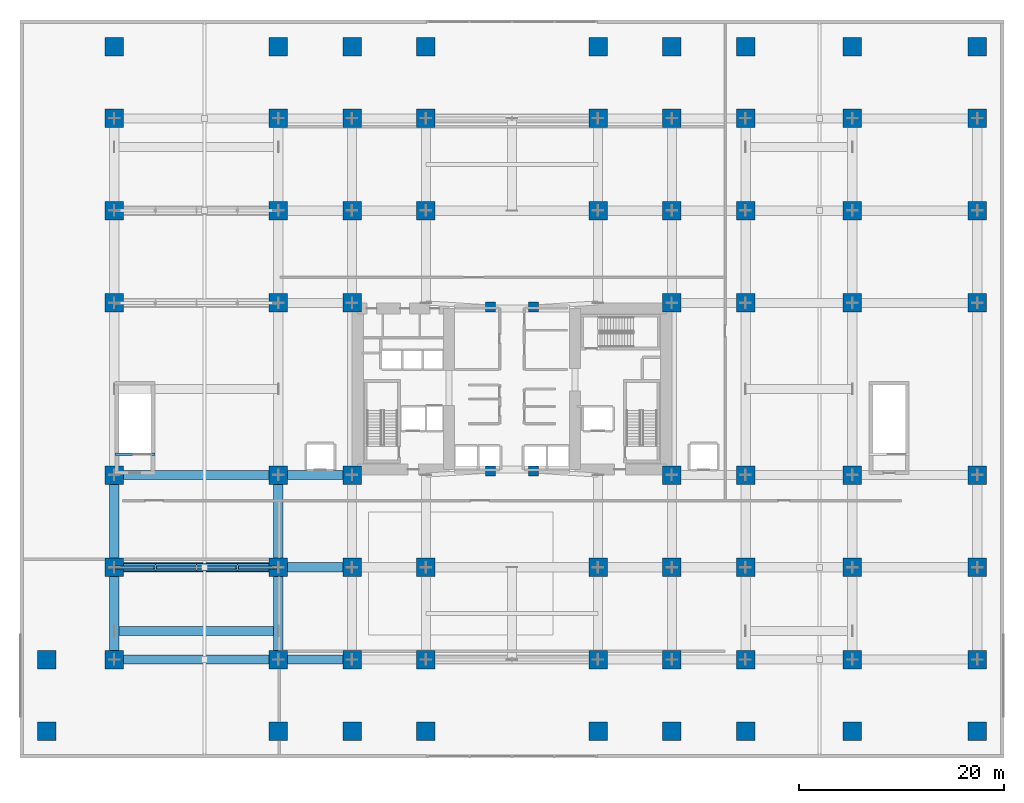
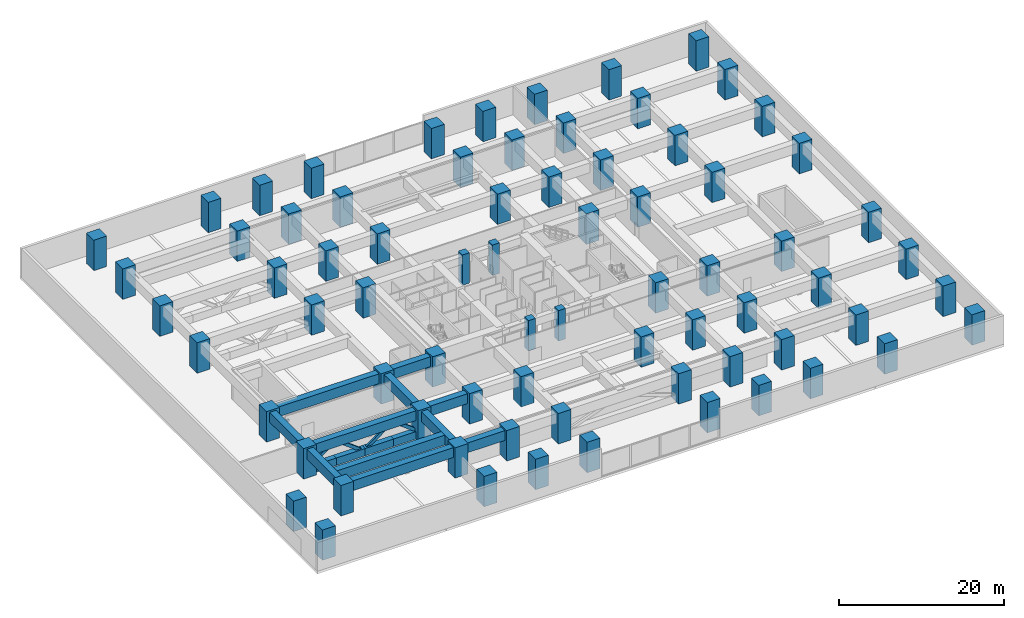
# One storey, part 1 of 25: 73 columns, 12 beams, 8 members.
"""IFC4 building model written with IfcOpenShell, lengths in metres."""

from ifc_helpers import new_model, si_unit, direction, frame, origin, origin_2d, place, context, subcontext, project, spatial, rectangle, hollow_rectangle, extrude, material, material_profile, profile_set, type_object, element, save


model = new_model("IFC4")

# Units and contexts
model_context = context("Model", 3, precision=1e-05, world=origin(), true_north=direction((0.0, 1.0)))
body_context = subcontext(model_context, "Body", "Model", "MODEL_VIEW")
ifc_project = project(units=[si_unit("LENGTHUNIT", "METRE"), si_unit("AREAUNIT", "SQUARE_METRE"), si_unit("VOLUMEUNIT", "CUBIC_METRE"), si_unit("PLANEANGLEUNIT", "RADIAN"), si_unit("MASSUNIT", "GRAM", prefix="KILO")], contexts=[model_context])

# Site, building, storey
site_placement = place(None, origin())
site = spatial("IfcSite", under=ifc_project, at=site_placement, CompositionType="ELEMENT")
building_placement = place(site_placement, origin())
building = spatial("IfcBuilding", under=site, at=building_placement, Name="Kiyonajd Concourse Tower", CompositionType="ELEMENT")
storey_placement = place(building_placement, frame((0.0, 0.0, 17.10009765625)))
storey = spatial("IfcBuildingStorey", under=building, at=storey_placement, Name="L05", CompositionType="ELEMENT", Elevation=17.10009765625)

# Columns
ifc_material_1 = material(Name="Concrete C80/95", Category="concrete")
ifc_material_profile_1 = material_profile(ifc_material_1, rectangle(XDim=1.800048828125, YDim=1.800048828125, at=origin_2d()), Name="RC-1800x1800")
ifc_profile_set_1 = profile_set([ifc_material_profile_1], Name="Concrete C80/95")
column_type_1 = type_object("IfcColumnType", Name="CL-MEGA-1800", PredefinedType="COLUMN", material=ifc_profile_set_1)
for number, where, z_axis, x_axis, name in (
    (1, (2.60009765625, 2.60009765625, 0.0), (0.0, 0.0, 1.0), (1.0, 0.0, 0.0), "L05 Podium Mega Column"),
    (2, (2.60009765625, 9.60009765625, 0.0), (0.0, 0.0, 1.0), (1.0, 0.0, 0.0), "L05 Podium Mega Column"),
    (3, (9.199951171875, 9.60009765625, 0.0), (0.0, 0.0, 1.0), (1.0, 0.0, 0.0), "L05 Podium Mega Column"),
    (4, (9.199951171875, 18.60009765625, 0.0), (0.0, 0.0, 1.0), (1.0, 0.0, 0.0), "L05 Podium Mega Column"),
    (5, (9.199951171875, 27.60009765625, 0.0), (0.0, 0.0, 1.0), (1.0, 0.0, 0.0), "L05 Podium Mega Column"),
    (6, (9.199951171875, 44.39990234375, 0.0), (0.0, 0.0, 1.0), (1.0, 0.0, 0.0), "L05 Podium Mega Column"),
    (7, (9.199951171875, 53.39990234375, 0.0), (0.0, 0.0, 1.0), (1.0, 0.0, 0.0), "L05 Podium Mega Column"),
    (8, (9.199951171875, 62.39990234375, 0.0), (0.0, 0.0, 1.0), (1.0, 0.0, 0.0), "L05 Podium Mega Column"),
    (9, (9.199951171875, 69.39990234375, 0.0), (0.0, 0.0, 1.0), (1.0, 0.0, 0.0), "L05 Podium Mega Column"),
    (10, (25.199951171875, 2.60009765625, 0.0), (0.0, 0.0, 1.0), (1.0, 0.0, 0.0), "L05 Podium Mega Column"),
    (11, (25.199951171875, 9.60009765625, 0.0), (0.0, 0.0, 1.0), (1.0, 0.0, 0.0), "L05 Podium Mega Column"),
    (12, (25.199951171875, 18.60009765625, 0.0), (0.0, 0.0, 1.0), (1.0, 0.0, 0.0), "L05 Podium Mega Column"),
    (13, (25.199951171875, 27.60009765625, 0.0), (0.0, 0.0, 1.0), (1.0, 0.0, 0.0), "L05 Podium Mega Column"),
    (14, (25.199951171875, 44.39990234375, 0.0), (0.0, 0.0, 1.0), (1.0, 0.0, 0.0), "L05 Podium Mega Column"),
    (15, (25.199951171875, 53.39990234375, 0.0), (0.0, 0.0, 1.0), (1.0, 0.0, 0.0), "L05 Podium Mega Column"),
    (16, (25.199951171875, 62.39990234375, 0.0), (0.0, 0.0, 1.0), (1.0, 0.0, 0.0), "L05 Podium Mega Column"),
    (17, (25.199951171875, 69.39990234375, 0.0), (0.0, 0.0, 1.0), (1.0, 0.0, 0.0), "L05 Podium Mega Column"),
    (18, (32.39990234375, 2.60009765625, 0.0), (0.0, 0.0, 1.0), (1.0, 0.0, 0.0), "L05 Podium Mega Column"),
    (19, (32.39990234375, 9.60009765625, 0.0), (0.0, 0.0, 1.0), (1.0, 0.0, 0.0), "L05 Podium Mega Column"),
    (20, (32.39990234375, 18.60009765625, 0.0), (0.0, 0.0, 1.0), (1.0, 0.0, 0.0), "L05 Podium Mega Column"),
    (21, (32.39990234375, 27.60009765625, 0.0), (0.0, 0.0, 1.0), (1.0, 0.0, 0.0), "L05 Podium Mega Column"),
    (22, (32.39990234375, 44.39990234375, 0.0), (0.0, 0.0, 1.0), (1.0, 0.0, 0.0), "L05 Podium Mega Column"),
    (23, (32.39990234375, 53.39990234375, 0.0), (0.0, 0.0, 1.0), (1.0, 0.0, 0.0), "L05 Podium Mega Column"),
    (24, (32.39990234375, 62.39990234375, 0.0), (0.0, 0.0, 1.0), (1.0, 0.0, 0.0), "L05 Podium Mega Column"),
    (25, (32.39990234375, 69.39990234375, 0.0), (0.0, 0.0, 1.0), (1.0, 0.0, 0.0), "L05 Podium Mega Column"),
    (26, (39.60009765625, 2.60009765625, 0.0), (0.0, 0.0, 1.0), (1.0, 0.0, 0.0), "L05 Podium Mega Column"),
    (27, (39.60009765625, 9.60009765625, 0.0), (0.0, 0.0, 1.0), (1.0, 0.0, 0.0), "L05 Podium Mega Column"),
    (28, (39.60009765625, 18.60009765625, 0.0), (0.0, 0.0, 1.0), (1.0, 0.0, 0.0), "L05 Podium Mega Column"),
    (29, (39.60009765625, 53.39990234375, 0.0), (0.0, 0.0, 1.0), (1.0, 0.0, 0.0), "L05 Podium Mega Column"),
    (30, (39.60009765625, 62.39990234375, 0.0), (0.0, 0.0, 1.0), (1.0, 0.0, 0.0), "L05 Podium Mega Column"),
    (31, (39.60009765625, 69.39990234375, 0.0), (0.0, 0.0, 1.0), (1.0, 0.0, 0.0), "L05 Podium Mega Column"),
    (32, (56.39990234375, 2.60009765625, 0.0), (0.0, 0.0, 1.0), (1.0, 0.0, 0.0), "L05 Podium Mega Column"),
    (33, (56.39990234375, 9.60009765625, 0.0), (0.0, 0.0, 1.0), (1.0, 0.0, 0.0), "L05 Podium Mega Column"),
    (34, (56.39990234375, 18.60009765625, 0.0), (0.0, 0.0, 1.0), (1.0, 0.0, 0.0), "L05 Podium Mega Column"),
    (35, (56.39990234375, 53.39990234375, 0.0), (0.0, 0.0, 1.0), (1.0, 0.0, 0.0), "L05 Podium Mega Column"),
    (36, (56.39990234375, 62.39990234375, 0.0), (0.0, 0.0, 1.0), (1.0, 0.0, 0.0), "L05 Podium Mega Column"),
    (37, (56.39990234375, 69.39990234375, 0.0), (0.0, 0.0, 1.0), (1.0, 0.0, 0.0), "L05 Podium Mega Column"),
    (38, (63.60009765625, 2.60009765625, 0.0), (0.0, 0.0, 1.0), (1.0, 0.0, 0.0), "L05 Podium Mega Column"),
    (39, (63.60009765625, 9.60009765625, 0.0), (0.0, 0.0, 1.0), (1.0, 0.0, 0.0), "L05 Podium Mega Column"),
    (40, (63.60009765625, 18.60009765625, 0.0), (0.0, 0.0, 1.0), (1.0, 0.0, 0.0), "L05 Podium Mega Column"),
    (41, (63.60009765625, 27.60009765625, 0.0), (0.0, 0.0, 1.0), (1.0, 0.0, 0.0), "L05 Podium Mega Column"),
    (42, (63.60009765625, 44.39990234375, 0.0), (0.0, 0.0, 1.0), (1.0, 0.0, 0.0), "L05 Podium Mega Column"),
    (43, (63.60009765625, 53.39990234375, 0.0), (0.0, 0.0, 1.0), (1.0, 0.0, 0.0), "L05 Podium Mega Column"),
    (44, (63.60009765625, 62.39990234375, 0.0), (0.0, 0.0, 1.0), (1.0, 0.0, 0.0), "L05 Podium Mega Column"),
    (45, (63.60009765625, 69.39990234375, 0.0), (0.0, 0.0, 1.0), (1.0, 0.0, 0.0), "L05 Podium Mega Column"),
    (46, (70.800048828125, 2.60009765625, 0.0), (0.0, 0.0, 1.0), (1.0, 0.0, 0.0), "L05 Podium Mega Column"),
    (47, (70.800048828125, 9.60009765625, 0.0), (0.0, 0.0, 1.0), (1.0, 0.0, 0.0), "L05 Podium Mega Column"),
    (48, (70.800048828125, 18.60009765625, 0.0), (0.0, 0.0, 1.0), (1.0, 0.0, 0.0), "L05 Podium Mega Column"),
    (49, (70.800048828125, 27.60009765625, 0.0), (0.0, 0.0, 1.0), (1.0, 0.0, 0.0), "L05 Podium Mega Column"),
    (50, (70.800048828125, 44.39990234375, 0.0), (0.0, 0.0, 1.0), (1.0, 0.0, 0.0), "L05 Podium Mega Column"),
    (51, (70.800048828125, 53.39990234375, 0.0), (0.0, 0.0, 1.0), (1.0, 0.0, 0.0), "L05 Podium Mega Column"),
    (52, (70.800048828125, 62.39990234375, 0.0), (0.0, 0.0, 1.0), (1.0, 0.0, 0.0), "L05 Podium Mega Column"),
    (53, (70.800048828125, 69.39990234375, 0.0), (0.0, 0.0, 1.0), (1.0, 0.0, 0.0), "L05 Podium Mega Column"),
    (54, (81.199951171875, 2.60009765625, 0.0), (0.0, 0.0, 1.0), (1.0, 0.0, 0.0), "L05 Podium Mega Column"),
    (55, (81.199951171875, 9.60009765625, 0.0), (0.0, 0.0, 1.0), (1.0, 0.0, 0.0), "L05 Podium Mega Column"),
    (56, (81.199951171875, 18.60009765625, 0.0), (0.0, 0.0, 1.0), (1.0, 0.0, 0.0), "L05 Podium Mega Column"),
    (57, (81.199951171875, 27.60009765625, 0.0), (0.0, 0.0, 1.0), (1.0, 0.0, 0.0), "L05 Podium Mega Column"),
    (58, (81.199951171875, 44.39990234375, 0.0), (0.0, 0.0, 1.0), (1.0, 0.0, 0.0), "L05 Podium Mega Column"),
    (59, (81.199951171875, 53.39990234375, 0.0), (0.0, 0.0, 1.0), (1.0, 0.0, 0.0), "L05 Podium Mega Column"),
    (60, (81.199951171875, 62.39990234375, 0.0), (0.0, 0.0, 1.0), (1.0, 0.0, 0.0), "L05 Podium Mega Column"),
    (61, (81.199951171875, 69.39990234375, 0.0), (0.0, 0.0, 1.0), (1.0, 0.0, 0.0), "L05 Podium Mega Column"),
    (62, (93.39990234375, 2.60009765625, 0.0), (0.0, 0.0, 1.0), (1.0, 0.0, 0.0), "L05 Podium Mega Column"),
    (63, (93.39990234375, 9.60009765625, 0.0), (0.0, 0.0, 1.0), (1.0, 0.0, 0.0), "L05 Podium Mega Column"),
    (64, (93.39990234375, 18.60009765625, 0.0), (0.0, 0.0, 1.0), (1.0, 0.0, 0.0), "L05 Podium Mega Column"),
    (65, (93.39990234375, 27.60009765625, 0.0), (0.0, 0.0, 1.0), (1.0, 0.0, 0.0), "L05 Podium Mega Column"),
    (66, (93.39990234375, 44.39990234375, 0.0), (0.0, 0.0, 1.0), (1.0, 0.0, 0.0), "L05 Podium Mega Column"),
    (67, (93.39990234375, 53.39990234375, 0.0), (0.0, 0.0, 1.0), (1.0, 0.0, 0.0), "L05 Podium Mega Column"),
    (68, (93.39990234375, 62.39990234375, 0.0), (0.0, 0.0, 1.0), (1.0, 0.0, 0.0), "L05 Podium Mega Column"),
    (69, (93.39990234375, 69.39990234375, 0.0), (0.0, 0.0, 1.0), (1.0, 0.0, 0.0), "L05 Podium Mega Column"),
):
    element("IfcColumn", number, at=place(storey_placement, frame(where, z_axis=z_axis, x_axis=x_axis)), inside=storey, type_object=column_type_1, Name=name, PredefinedType="COLUMN", context=body_context, shape_type="SweptSolid", body=[
        extrude(rectangle(XDim=1.800048828125, YDim=1.800048828125, at=origin_2d()), origin(), (0.0, 0.0, 1.0), 4.5),
    ])
ifc_material_2 = material(Name="Concrete C60/75", Category="concrete")
ifc_material_profile_2 = material_profile(ifc_material_2, rectangle(XDim=1.0, YDim=1.0, at=origin_2d()), Name="RC-1000x1000")
ifc_profile_set_2 = profile_set([ifc_material_profile_2], Name="Concrete C60/75")
column_type_2 = type_object("IfcColumnType", Name="CL-TUBE-1000", PredefinedType="COLUMN", material=ifc_profile_set_2)
for number, where, z_axis, x_axis, name in (
    (70, (45.89990234375, 28.0, 0.0), (0.0, 0.0, 1.0), (1.0, 0.0, 0.0), "L05 Core Tie Column South West"),
    (71, (50.10009765625, 28.0, 0.0), (0.0, 0.0, 1.0), (1.0, 0.0, 0.0), "L05 Core Tie Column South East"),
    (72, (45.89990234375, 44.0, 0.0), (0.0, 0.0, 1.0), (1.0, 0.0, 0.0), "L05 Core Tie Column North West"),
    (73, (50.10009765625, 44.0, 0.0), (0.0, 0.0, 1.0), (1.0, 0.0, 0.0), "L05 Core Tie Column North East"),
):
    element("IfcColumn", number, at=place(storey_placement, frame(where, z_axis=z_axis, x_axis=x_axis)), inside=storey, type_object=column_type_2, Name=name, PredefinedType="COLUMN", context=body_context, shape_type="SweptSolid", body=[
        extrude(rectangle(XDim=1.0, YDim=1.0, at=origin_2d()), origin(), (0.0, 0.0, 1.0), 4.5),
    ])

# Beams
ifc_material_3 = material(Name="Concrete C50/60", Category="concrete")
ifc_material_profile_3 = material_profile(ifc_material_3, rectangle(XDim=0.239990234375, YDim=0.320068359375, at=origin_2d()), Name="RCBM-240x320")
ifc_profile_set_3 = profile_set([ifc_material_profile_3], Name="Concrete C50/60")
beam_type_1 = type_object("IfcBeamType", Name="BM-LNT-250", PredefinedType="LINTEL", material=ifc_profile_set_3)
beam_1_placement = place(storey_placement, frame((9.25, 29.6298828125, -0.16015625), z_axis=(1.0, 0.0, 0.0), x_axis=(0.0, 1.0, 0.0)))
element("IfcBeam", 74, at=beam_1_placement, inside=storey, type_object=beam_type_1, Name="L05 Stair ST4 Threshold Support Beam", PredefinedType="LINTEL", context=body_context, shape_type="SweptSolid", body=[
    extrude(rectangle(XDim=0.239990234375, YDim=0.320068359375, at=origin_2d()), origin(), (0.0, 0.0, 1.0), 3.89990234375),
])
ifc_material_4 = material(Name="Steel ASTM A572 Grade 50", Category="steel")
ifc_material_profile_4 = material_profile(ifc_material_4, hollow_rectangle(XDim=0.89990234375, YDim=1.449951171875, WallThickness=0.074951171875, at=origin_2d()), Name="BOX-1450x900x75")
ifc_profile_set_4 = profile_set([ifc_material_profile_4], Name="Steel ASTM A572 Grade 50")
beam_type_2 = type_object("IfcBeamType", Name="BM-XFER-1800", PredefinedType="BEAM", material=ifc_profile_set_4)
beam_2_placement = place(storey_placement, frame((9.199951171875, 9.60009765625, 3.514892578125), z_axis=(1.0, 0.0, 0.0), x_axis=(0.0, 1.0, 0.0)))
element("IfcBeam", 75, at=beam_2_placement, inside=storey, type_object=beam_type_2, Name="L05 Primary Transfer Girder", PredefinedType="BEAM", context=body_context, shape_type="SweptSolid", body=[
    extrude(hollow_rectangle(XDim=0.89990234375, YDim=1.449951171875, WallThickness=0.074951171875, at=origin_2d()), origin(), (0.0, 0.0, 1.0), 16.0),
])
beam_3_placement = place(storey_placement, frame((25.199951171875, 9.60009765625, 3.514892578125), z_axis=(1.0, 0.0, 0.0), x_axis=(0.0, 1.0, 0.0)))
element("IfcBeam", 76, at=beam_3_placement, inside=storey, type_object=beam_type_2, Name="L05 Primary Transfer Girder", PredefinedType="BEAM", context=body_context, shape_type="SweptSolid", body=[
    extrude(hollow_rectangle(XDim=0.89990234375, YDim=1.449951171875, WallThickness=0.074951171875, at=origin_2d()), origin(), (0.0, 0.0, 1.0), 7.199951171875),
])
beam_4_placement = place(storey_placement, frame((9.199951171875, 18.60009765625, 3.514892578125), z_axis=(1.0, 0.0, 0.0), x_axis=(0.0, 1.0, 0.0)))
element("IfcBeam", 77, at=beam_4_placement, inside=storey, type_object=beam_type_2, Name="L05 Primary Transfer Girder", PredefinedType="BEAM", context=body_context, shape_type="SweptSolid", body=[
    extrude(hollow_rectangle(XDim=0.89990234375, YDim=1.449951171875, WallThickness=0.074951171875, at=origin_2d()), origin(), (0.0, 0.0, 1.0), 16.0),
])
beam_5_placement = place(storey_placement, frame((25.199951171875, 18.60009765625, 3.514892578125), z_axis=(1.0, 0.0, 0.0), x_axis=(0.0, 1.0, 0.0)))
element("IfcBeam", 78, at=beam_5_placement, inside=storey, type_object=beam_type_2, Name="L05 Primary Transfer Girder", PredefinedType="BEAM", context=body_context, shape_type="SweptSolid", body=[
    extrude(hollow_rectangle(XDim=0.89990234375, YDim=1.449951171875, WallThickness=0.074951171875, at=origin_2d()), origin(), (0.0, 0.0, 1.0), 7.199951171875),
])
beam_6_placement = place(storey_placement, frame((9.199951171875, 27.60009765625, 3.514892578125), z_axis=(1.0, 0.0, 0.0), x_axis=(0.0, 1.0, 0.0)))
element("IfcBeam", 79, at=beam_6_placement, inside=storey, type_object=beam_type_2, Name="L05 Primary Transfer Girder", PredefinedType="BEAM", context=body_context, shape_type="SweptSolid", body=[
    extrude(hollow_rectangle(XDim=0.89990234375, YDim=1.449951171875, WallThickness=0.074951171875, at=origin_2d()), origin(), (0.0, 0.0, 1.0), 16.0),
])
beam_7_placement = place(storey_placement, frame((25.199951171875, 27.60009765625, 3.514892578125), z_axis=(1.0, 0.0, 0.0), x_axis=(0.0, 1.0, 0.0)))
element("IfcBeam", 80, at=beam_7_placement, inside=storey, type_object=beam_type_2, Name="L05 Primary Transfer Girder", PredefinedType="BEAM", context=body_context, shape_type="SweptSolid", body=[
    extrude(hollow_rectangle(XDim=0.89990234375, YDim=1.449951171875, WallThickness=0.074951171875, at=origin_2d()), origin(), (0.0, 0.0, 1.0), 7.199951171875),
])
for number, where, z_axis, x_axis, name in (
    (81, (9.199951171875, 9.60009765625, 3.534912109375), (0.0, 1.0, 0.0), (-1.0, 0.0, 0.0), "L05 Primary Transfer Girder"),
    (82, (9.199951171875, 18.60009765625, 3.534912109375), (0.0, 1.0, 0.0), (-1.0, 0.0, 0.0), "L05 Primary Transfer Girder"),
    (83, (25.199951171875, 9.60009765625, 3.514892578125), (0.0, 1.0, 0.0), (-1.0, 0.0, 0.0), "L05 Primary Transfer Girder"),
    (84, (25.199951171875, 18.60009765625, 3.514892578125), (0.0, 1.0, 0.0), (-1.0, 0.0, 0.0), "L05 Primary Transfer Girder"),
):
    element("IfcBeam", number, at=place(storey_placement, frame(where, z_axis=z_axis, x_axis=x_axis)), inside=storey, type_object=beam_type_2, Name=name, PredefinedType="BEAM", context=body_context, shape_type="SweptSolid", body=[
        extrude(hollow_rectangle(XDim=0.89990234375, YDim=1.449951171875, WallThickness=0.074951171875, at=origin_2d()), origin(), (0.0, 0.0, 1.0), 9.0),
    ])
beam_8_placement = place(storey_placement, frame((9.199951171875, 12.39990234375, 3.514892578125), z_axis=(1.0, 0.0, 0.0), x_axis=(0.0, 1.0, 0.0)))
element("IfcBeam", 85, at=beam_8_placement, inside=storey, type_object=beam_type_2, Name="L05 Column Transfer Girder", PredefinedType="BEAM", context=body_context, shape_type="SweptSolid", body=[
    extrude(hollow_rectangle(XDim=0.89990234375, YDim=1.449951171875, WallThickness=0.074951171875, at=origin_2d()), origin(), (0.0, 0.0, 1.0), 16.0),
])

# Members
ifc_material_5 = material(Name="Steel ASTM A500 Grade C", Category="steel")
ifc_material_profile_5 = material_profile(ifc_material_5, hollow_rectangle(XDim=0.300048828125, YDim=0.449951171875, WallThickness=0.02197265625, at=origin_2d()), Name="HSS-450x300x22")
ifc_profile_set_5 = profile_set([ifc_material_profile_5], Name="Steel ASTM A500 Grade C")
member_type_1 = type_object("IfcMemberType", Name="MB-OT-DIAG", PredefinedType="BRACE", material=ifc_profile_set_5)
for number, where, z_axis, x_axis, name in (
    (86, (9.199951171875, 18.60009765625, 0.5498046875), (0.796158448552, 0.0, 0.605088195885), (0.0, 1.0, 0.0), "L05 Transfer Truss Diagonal 01"),
    (87, (13.199951171875, 18.60009765625, 3.58984375), (0.796158448552, 0.0, -0.605088195885), (0.0, 1.0, 0.0), "L05 Transfer Truss Diagonal 02"),
    (88, (17.199951171875, 18.60009765625, 0.5498046875), (0.796158448552, 0.0, 0.605088195885), (0.0, 1.0, 0.0), "L05 Transfer Truss Diagonal 03"),
    (89, (21.199951171875, 18.60009765625, 3.58984375), (0.796158448552, 0.0, -0.605088195885), (0.0, 1.0, 0.0), "L05 Transfer Truss Diagonal 04"),
):
    element("IfcMember", number, at=place(storey_placement, frame(where, z_axis=z_axis, x_axis=x_axis)), inside=storey, type_object=member_type_1, Name=name, PredefinedType="BRACE", context=body_context, shape_type="SweptSolid", body=[
        extrude(hollow_rectangle(XDim=0.300048828125, YDim=0.449951171875, WallThickness=0.02197265625, at=origin_2d()), origin(), (0.0, 0.0, 1.0), 5.024169921875),
    ])
ifc_material_profile_6 = material_profile(ifc_material_4, hollow_rectangle(XDim=0.75, YDim=1.10009765625, WallThickness=0.06005859375, at=origin_2d()), Name="BOX-1100x750x60")
ifc_profile_set_6 = profile_set([ifc_material_profile_6], Name="Steel ASTM A572 Grade 50")
member_type_2 = type_object("IfcMemberType", Name="MB-TR-CHORD", PredefinedType="CHORD", material=ifc_profile_set_6)
for number, where, z_axis, x_axis, name in (
    (90, (9.199951171875, 18.60009765625, 0.5498046875), (1.0, 0.0, 0.0), (0.0, 1.0, 0.0), "L05 Transfer Truss Bottom Chord 1"),
    (91, (13.199951171875, 18.60009765625, 0.5498046875), (1.0, 0.0, 0.0), (0.0, 1.0, 0.0), "L05 Transfer Truss Bottom Chord 2"),
    (92, (17.199951171875, 18.60009765625, 0.5498046875), (1.0, 0.0, 0.0), (0.0, 1.0, 0.0), "L05 Transfer Truss Bottom Chord 3"),
    (93, (21.199951171875, 18.60009765625, 0.5498046875), (1.0, 0.0, 0.0), (0.0, 1.0, 0.0), "L05 Transfer Truss Bottom Chord 4"),
):
    element("IfcMember", number, at=place(storey_placement, frame(where, z_axis=z_axis, x_axis=x_axis)), inside=storey, type_object=member_type_2, Name=name, PredefinedType="CHORD", context=body_context, shape_type="SweptSolid", body=[
        extrude(hollow_rectangle(XDim=0.75, YDim=1.10009765625, WallThickness=0.06005859375, at=origin_2d()), origin(), (0.0, 0.0, 1.0), 4.0),
    ])

save(model, "model.ifc")
